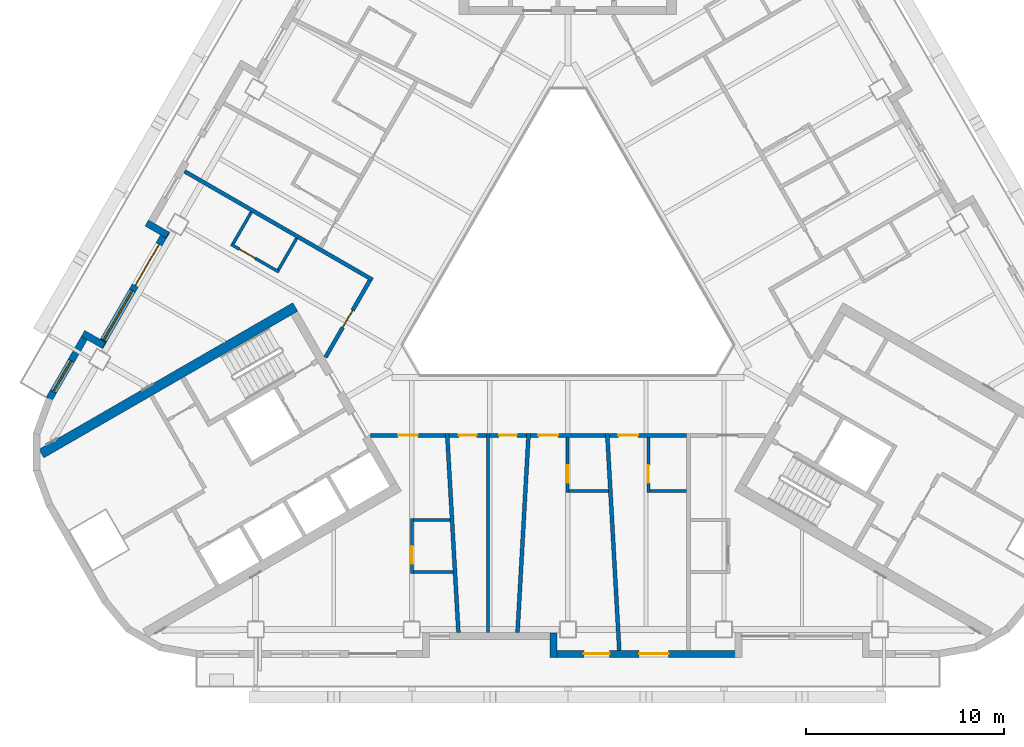
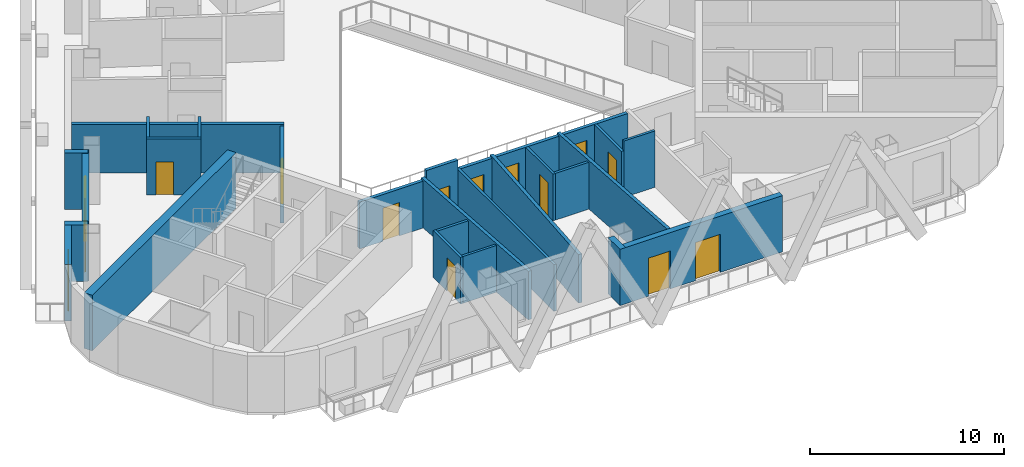
# One storey, part 6 of 17: 28 walls, 13 doors, 2 windows, 15 openings.
"""IFC4 building model written with IfcOpenShell, lengths in metres."""

from ifc_helpers import new_model, si_unit, direction, frame, frame_2d, origin, place, context, subcontext, project, spatial, rectangle, extrude, material, layer, layer_set, type_object, element, fill, save


model = new_model("IFC4")

# Units and contexts
model_context = context("Model", 3, precision=1e-05, world=origin(), true_north=direction((0.0, 1.0)))
body_context = subcontext(model_context, "Body", "Model", "MODEL_VIEW")
ifc_project = project(units=[si_unit("LENGTHUNIT", "METRE"), si_unit("AREAUNIT", "SQUARE_METRE"), si_unit("VOLUMEUNIT", "CUBIC_METRE"), si_unit("PLANEANGLEUNIT", "RADIAN"), si_unit("MASSUNIT", "GRAM", prefix="KILO")], contexts=[model_context])

# Site, building, storey
site_placement = place(None, origin())
site = spatial("IfcSite", under=ifc_project, at=site_placement, CompositionType="ELEMENT")
building_placement = place(site_placement, origin())
building = spatial("IfcBuilding", under=site, at=building_placement, Name="Apuvela Tower Hotel", CompositionType="ELEMENT")
storey_placement = place(building_placement, frame((0.0, 0.0, 146.60009765625)))
storey = spatial("IfcBuildingStorey", under=building, at=storey_placement, Name="L34", CompositionType="ELEMENT", Elevation=146.60009765625)

# Walls
ifc_material_1 = material(Name="Concrete C50/60", Category="concrete")
ifc_layer_1 = layer(ifc_material_1, 0.5)
ifc_layer_set_1 = layer_set([ifc_layer_1], Name="COR-WALL-CORE-500")
wall_type_1 = type_object("IfcWallType", Name="COR-WALL-CORE-500", PredefinedType="SHEAR", material=ifc_layer_set_1)
wall_1_placement = place(storey_placement, frame((-13.796630859375, -1.9033203125, 0.0), z_axis=(0.0, 0.0, 1.0), x_axis=(-0.866025009528, -0.500000682871, 0.0)))
element("IfcWall", 1, at=wall_1_placement, inside=storey, type_object=wall_type_1, Name="Core wall SW", PredefinedType="SHEAR", context=body_context, shape_type="SweptSolid", body=[
    extrude(rectangle(XDim=14.8369140625, YDim=0.5, at=frame_2d((7.41845703125, 0.0))), origin(), (0.0, 0.0, 1.0), 3.5),
])
ifc_material_2 = material(Name="Concrete C40/50, dark pigmented precast panel", Category="concrete")
ifc_layer_2 = layer(ifc_material_2, 0.35009765625)
ifc_layer_set_2 = layer_set([ifc_layer_2], Name="ENV-WALL-350")
wall_type_2 = type_object("IfcWallType", Name="ENV-WALL-350", PredefinedType="SOLIDWALL", material=ifc_layer_set_2)
wall_2_placement = place(storey_placement, frame((-21.3125, 2.345703125, 0.0), z_axis=(0.0, 0.0, 1.0), x_axis=(0.866005645448, -0.500034220881, 0.0)))
element("IfcWall", 2, at=wall_2_placement, inside=storey, type_object=wall_type_2, Name="External wall L34-06", PredefinedType="SOLIDWALL", context=body_context, shape_type="SweptSolid", body=[
    extrude(rectangle(XDim=1.22021484375, YDim=0.35009765625, at=frame_2d((0.610107421875, 0.0))), origin(), (0.0, 0.0, 1.0), 3.5498046875),
])

# Wall, openings, door, window
wall_3_placement = place(storey_placement, frame((-20.30908203125, 1.93359375, 0.0), z_axis=(0.0, 0.0, 1.0), x_axis=(-0.499992114976, -0.866029956157, 0.0)))
wall_3 = element("IfcWall", 3, at=wall_3_placement, inside=storey, type_object=wall_type_2, Name="External wall L34-07", PredefinedType="SOLIDWALL", context=body_context, shape_type="SweptSolid", body=[
    extrude(rectangle(XDim=6.73974609375, YDim=0.35009765625, at=frame_2d((3.369873046875, 0.0))), origin(), (0.0, 0.0, 1.0), 3.5498046875),
])
opening_1_placement = place(wall_3_placement, frame((0.77001953125, 0.0, 0.0)))
opening_1 = element("IfcOpeningElement", 4, at=opening_1_placement, cuts=wall_3, Name="Opening BD24", PredefinedType="OPENING", context=body_context, shape_type="SweptSolid", body=[
    extrude(rectangle(XDim=2.39990234375, YDim=2.39990234375, at=frame_2d((1.199951171875, 1.199951171875))), frame((0.0, 0.18505859375, 0.0), z_axis=(0.0, -1.0, 0.0), x_axis=(1.0, 0.0, 0.0)), (0.0, 0.0, 1.0), 0.3701171875),
])
opening_2_placement = place(wall_3_placement, frame((3.47021484375, 0.0, 0.300048828125)))
opening_2 = element("IfcOpeningElement", 5, at=opening_2_placement, cuts=wall_3, Name="Opening WN29", PredefinedType="OPENING", context=body_context, shape_type="SweptSolid", body=[
    extrude(rectangle(XDim=2.89990234375, YDim=2.64990234375, at=frame_2d((1.449951171875, 1.324951171875))), frame((0.0, 0.18505859375, 0.0), z_axis=(0.0, -1.0, 0.0), x_axis=(1.0, 0.0, 0.0)), (0.0, 0.0, 1.0), 0.3701171875),
])
ifc_material_3 = material(Name="Aluminium 6063-T6, dark bronze anodised frame with dark tinted laminated glass", Category="aluminium")
door_type_1 = type_object("IfcDoorType", Name="ENV-DOOR-BALCONY-2400x2400", OperationType="SLIDING_TO_LEFT", PredefinedType="DOOR", material=ifc_material_3)
door_1_placement = place(opening_1_placement, frame((2.39990234375, 0.0, 0.0), z_axis=(0.0, 0.0, 1.0), x_axis=(-1.0, 0.0, 0.0)))
door_1 = element("IfcDoor", 6, at=door_1_placement, inside=storey, type_object=door_type_1, Name="Balcony door BD24", OperationType="SLIDING_TO_LEFT", OverallHeight=2.39990234375, OverallWidth=2.39990234375, PredefinedType="DOOR", context=body_context, shape_type="SweptSolid", body=[
    extrude(rectangle(XDim=2.39990234375, YDim=2.39990234375, at=frame_2d((1.199951171875, 1.199951171875))), frame((0.0, 0.02490234375, 0.0), z_axis=(0.0, -1.0, 0.0), x_axis=(1.0, 0.0, 0.0)), (0.0, 0.0, 1.0), 0.050048828125),
])
fill(opening_1, door_1)
ifc_material_4 = material(Name="Glass, dark tinted laminated insulated glazing unit", Category="glass")
window_type_1 = type_object("IfcWindowType", Name="ENV-WIN-2900x2650", PartitioningType="SINGLE_PANEL", PredefinedType="WINDOW", material=ifc_material_4)
window_1_placement = place(opening_2_placement, origin())
window_1 = element("IfcWindow", 7, at=window_1_placement, inside=storey, type_object=window_type_1, Name="Window WN29", OverallHeight=2.64990234375, OverallWidth=2.89990234375, PartitioningType="SINGLE_PANEL", PredefinedType="WINDOW", context=body_context, shape_type="SweptSolid", body=[
    extrude(rectangle(XDim=2.89990234375, YDim=2.64990234375, at=frame_2d((1.449951171875, 1.324951171875))), frame((0.0, 0.030029296875, 0.0), z_axis=(0.0, -1.0, 0.0), x_axis=(1.0, 0.0, 0.0)), (0.0, 0.0, 1.0), 0.06005859375),
])
fill(opening_2, window_1)

# Wall
wall_4_placement = place(storey_placement, frame((-23.48095703125, -3.85009765625, 0.0), z_axis=(0.0, 0.0, 1.0), x_axis=(-0.866092288191, 0.499884134912, 0.0)))
element("IfcWall", 8, at=wall_4_placement, inside=storey, type_object=wall_type_2, Name="External wall L34-08", PredefinedType="SOLIDWALL", context=body_context, shape_type="SweptSolid", body=[
    extrude(rectangle(XDim=1.219970703125, YDim=0.35009765625, at=frame_2d((0.60986328125, 0.0))), origin(), (0.0, 0.0, 1.0), 3.5498046875),
])

# Wall, opening, window
wall_5_placement = place(storey_placement, frame((-24.298583984375, -3.17626953125, 0.0), z_axis=(0.0, 0.0, 1.0), x_axis=(-0.500028278809, -0.866009076391, 0.0)))
wall_5 = element("IfcWall", 9, at=wall_5_placement, inside=storey, type_object=wall_type_2, Name="External wall L34-09", PredefinedType="SOLIDWALL", context=body_context, shape_type="SweptSolid", body=[
    extrude(rectangle(XDim=3.915771484375, YDim=0.35009765625, at=frame_2d((1.9580078125, 0.0))), origin(), (0.0, 0.0, 1.0), 3.5498046875),
])
opening_3_placement = place(wall_5_placement, frame((1.675048828125, 0.0, 0.300048828125)))
opening_3 = element("IfcOpeningElement", 10, at=opening_3_placement, cuts=wall_5, Name="Opening WN18", PredefinedType="OPENING", context=body_context, shape_type="SweptSolid", body=[
    extrude(rectangle(XDim=1.800048828125, YDim=2.64990234375, at=frame_2d((0.89990234375, 1.324951171875))), frame((0.0, 0.18505859375, 0.0), z_axis=(0.0, -1.0, 0.0), x_axis=(1.0, 0.0, 0.0)), (0.0, 0.0, 1.0), 0.3701171875),
])
window_type_2 = type_object("IfcWindowType", Name="ENV-WIN-1800x2650", PartitioningType="SINGLE_PANEL", PredefinedType="WINDOW", material=ifc_material_4)
window_2_placement = place(opening_3_placement, origin())
window_2 = element("IfcWindow", 11, at=window_2_placement, inside=storey, type_object=window_type_2, Name="Window WN18", OverallHeight=2.64990234375, OverallWidth=1.800048828125, PartitioningType="SINGLE_PANEL", PredefinedType="WINDOW", context=body_context, shape_type="SweptSolid", body=[
    extrude(rectangle(XDim=1.800048828125, YDim=2.64990234375, at=frame_2d((0.89990234375, 1.324951171875))), frame((0.0, 0.030029296875, 0.0), z_axis=(0.0, -1.0, 0.0), x_axis=(1.0, 0.0, 0.0)), (0.0, 0.0, 1.0), 0.06005859375),
])
fill(opening_3, window_2)

# Wall
wall_6_placement = place(storey_placement, frame((-0.72509765625, -18.409912109375, 0.0), z_axis=(0.0, 0.0, 1.0), x_axis=(0.0, -1.0, 0.0)))
element("IfcWall", 12, at=wall_6_placement, inside=storey, type_object=wall_type_2, Name="External wall L34-20", PredefinedType="SOLIDWALL", context=body_context, shape_type="SweptSolid", body=[
    extrude(rectangle(XDim=1.219970703125, YDim=0.35009765625, at=frame_2d((0.60986328125, 0.0))), origin(), (0.0, 0.0, 1.0), 3.5498046875),
])

# Wall, openings, doors
wall_7_placement = place(storey_placement, frame((-0.89990234375, -19.455078125, 0.0), z_axis=(0.0, 0.0, 1.0), x_axis=(1.0, 0.0, 0.0)))
wall_7 = element("IfcWall", 13, at=wall_7_placement, inside=storey, type_object=wall_type_2, Name="External wall L34-21", PredefinedType="SOLIDWALL", context=body_context, shape_type="SweptSolid", body=[
    extrude(rectangle(XDim=9.699951171875, YDim=0.35009765625, at=frame_2d((4.85009765625, 0.0))), origin(), (0.0, 0.0, 1.0), 3.5498046875),
])
opening_4_placement = place(wall_7_placement, frame((1.71240234375, 0.0, 0.0)))
opening_4 = element("IfcOpeningElement", 14, at=opening_4_placement, cuts=wall_7, Name="Opening BD13", PredefinedType="OPENING", context=body_context, shape_type="SweptSolid", body=[
    extrude(rectangle(XDim=1.300048828125, YDim=2.39990234375, at=frame_2d((0.64990234375, 1.199951171875))), frame((0.0, 0.18505859375, 0.0), z_axis=(0.0, -1.0, 0.0), x_axis=(1.0, 0.0, 0.0)), (0.0, 0.0, 1.0), 0.3701171875),
])
opening_5_placement = place(wall_7_placement, frame((4.5, 0.0, 0.0)))
opening_5 = element("IfcOpeningElement", 15, at=opening_5_placement, cuts=wall_7, Name="Opening BD15", PredefinedType="OPENING", context=body_context, shape_type="SweptSolid", body=[
    extrude(rectangle(XDim=1.5, YDim=2.39990234375, at=frame_2d((0.75, 1.199951171875))), frame((0.0, 0.18505859375, 0.0), z_axis=(0.0, -1.0, 0.0), x_axis=(1.0, 0.0, 0.0)), (0.0, 0.0, 1.0), 0.3701171875),
])
door_type_2 = type_object("IfcDoorType", Name="ENV-DOOR-BALCONY-1300x2400", OperationType="SLIDING_TO_LEFT", PredefinedType="DOOR", material=ifc_material_3)
door_2_placement = place(opening_4_placement, frame((1.300048828125, 0.0, 0.0), z_axis=(0.0, 0.0, 1.0), x_axis=(-1.0, 0.0, 0.0)))
door_2 = element("IfcDoor", 16, at=door_2_placement, inside=storey, type_object=door_type_2, Name="Balcony door BD13", OperationType="SLIDING_TO_LEFT", OverallHeight=2.39990234375, OverallWidth=1.300048828125, PredefinedType="DOOR", context=body_context, shape_type="SweptSolid", body=[
    extrude(rectangle(XDim=1.300048828125, YDim=2.39990234375, at=frame_2d((0.64990234375, 1.199951171875))), frame((0.0, 0.02490234375, 0.0), z_axis=(0.0, -1.0, 0.0), x_axis=(1.0, 0.0, 0.0)), (0.0, 0.0, 1.0), 0.050048828125),
])
fill(opening_4, door_2)
door_type_3 = type_object("IfcDoorType", Name="ENV-DOOR-BALCONY-1500x2400", OperationType="SLIDING_TO_LEFT", PredefinedType="DOOR", material=ifc_material_3)
door_3_placement = place(opening_5_placement, frame((1.5, 0.0, 0.0), z_axis=(0.0, 0.0, 1.0), x_axis=(-1.0, 0.0, 0.0)))
door_3 = element("IfcDoor", 17, at=door_3_placement, inside=storey, type_object=door_type_3, Name="Balcony door BD15", OperationType="SLIDING_TO_LEFT", OverallHeight=2.39990234375, OverallWidth=1.5, PredefinedType="DOOR", context=body_context, shape_type="SweptSolid", body=[
    extrude(rectangle(XDim=1.5, YDim=2.39990234375, at=frame_2d((0.75, 1.199951171875))), frame((0.0, 0.02490234375, 0.0), z_axis=(0.0, -1.0, 0.0), x_axis=(1.0, 0.0, 0.0)), (0.0, 0.0, 1.0), 0.050048828125),
])
fill(opening_5, door_3)

# Walls
ifc_material_5 = material(Name="Gypsum board partition on twin steel stud", Category="steel")
ifc_layer_3 = layer(ifc_material_5, 0.199951171875)
ifc_layer_set_3 = layer_set([ifc_layer_3], Name="GST-PW1")
wall_type_3 = type_object("IfcWallType", Name="GST-PW1", PredefinedType="PARTITIONING", material=ifc_layer_set_3)
wall_8_placement = place(storey_placement, frame((-5.541015625, -18.3798828125, 0.0), z_axis=(0.0, 0.0, 1.0), x_axis=(-0.056489207214, 0.998403209865, 0.0)))
element("IfcWall", 18, at=wall_8_placement, inside=storey, type_object=wall_type_3, Name="L34 partition 01", PredefinedType="PARTITIONING", context=body_context, shape_type="SweptSolid", body=[
    extrude(rectangle(XDim=10.095947265625, YDim=0.199951171875, at=frame_2d((5.0478515625, 0.0))), origin(), (0.0, 0.0, 1.0), 3.059814453125),
])
wall_9_placement = place(storey_placement, frame((-2.5498046875, -18.3798828125, 0.0), z_axis=(0.0, 0.0, 1.0), x_axis=(0.055549043036, 0.998455959879, 0.0)))
element("IfcWall", 19, at=wall_9_placement, inside=storey, type_object=wall_type_3, Name="L34 partition 02", PredefinedType="PARTITIONING", context=body_context, shape_type="SweptSolid", body=[
    extrude(rectangle(XDim=10.095458984375, YDim=0.199951171875, at=frame_2d((5.0478515625, 0.0))), origin(), (0.0, 0.0, 1.0), 3.059814453125),
])
wall_10_placement = place(storey_placement, frame((2.60009765625, -19.280029296875, 0.0), z_axis=(0.0, 0.0, 1.0), x_axis=(-0.055568385591, 0.998454883569, 0.0)))
element("IfcWall", 20, at=wall_10_placement, inside=storey, type_object=wall_type_3, Name="L34 partition 03", PredefinedType="PARTITIONING", context=body_context, shape_type="SweptSolid", body=[
    extrude(rectangle(XDim=10.9970703125, YDim=0.199951171875, at=frame_2d((5.49853515625, 0.0))), origin(), (0.0, 0.0, 1.0), 3.059814453125),
])
wall_11_placement = place(storey_placement, frame((-19.39697265625, 4.96337890625, 0.0), z_axis=(0.0, 0.0, 1.0), x_axis=(0.866027479907, -0.499996404033, 0.0)))
element("IfcWall", 21, at=wall_11_placement, inside=storey, type_object=wall_type_3, Name="L34 partition 10", PredefinedType="PARTITIONING", context=body_context, shape_type="SweptSolid", body=[
    extrude(rectangle(XDim=10.97998046875, YDim=0.199951171875, at=frame_2d((5.489990234375, 0.0))), origin(), (0.0, 0.0, 1.0), 3.059814453125),
])

# Wall, opening, door
ifc_material_6 = material(Name="Gypsum board corridor wall on twin steel stud, acoustic", Category="steel")
ifc_layer_4 = layer(ifc_material_6, 0.199951171875)
ifc_layer_set_4 = layer_set([ifc_layer_4], Name="GST-PW2")
wall_type_4 = type_object("IfcWallType", Name="GST-PW2", PredefinedType="PARTITIONING", material=ifc_layer_set_4)
wall_12_placement = place(storey_placement, frame((-6.205810546875, -8.39990234375, 0.0), z_axis=(0.0, 0.0, 1.0), x_axis=(-1.0, 0.0, 0.0)))
wall_12 = element("IfcWall", 22, at=wall_12_placement, inside=storey, type_object=wall_type_4, Name="L34 partition 11", PredefinedType="PARTITIONING", context=body_context, shape_type="SweptSolid", body=[
    extrude(rectangle(XDim=3.782470703125, YDim=0.199951171875, at=frame_2d((1.89111328125, 0.0))), origin(), (0.0, 0.0, 1.0), 2.949951171875),
])
opening_6_placement = place(wall_12_placement, frame((1.39111328125, 0.0, 0.0)))
opening_6 = element("IfcOpeningElement", 23, at=opening_6_placement, cuts=wall_12, Name="Opening GD12-02", PredefinedType="OPENING", context=body_context, shape_type="SweptSolid", body=[
    extrude(rectangle(XDim=1.0, YDim=2.10009765625, at=frame_2d((0.5, 1.050048828125))), frame((0.0, 0.10986328125, 0.0), z_axis=(0.0, -1.0, 0.0), x_axis=(1.0, 0.0, 0.0)), (0.0, 0.0, 1.0), 0.219970703125),
])
ifc_material_7 = material(Name="Timber door leaf in steel frame", Category="steel")
door_type_4 = type_object("IfcDoorType", Name="GST-D1", OperationType="NOTDEFINED", PredefinedType="DOOR", material=ifc_material_7)
door_4_placement = place(opening_6_placement, origin())
door_4 = element("IfcDoor", 24, at=door_4_placement, inside=storey, type_object=door_type_4, Name="Door L34-02", OperationType="SINGLE_SWING_LEFT", OverallHeight=2.10009765625, OverallWidth=1.0, PredefinedType="DOOR", context=body_context, shape_type="SweptSolid", body=[
    extrude(rectangle(XDim=1.0, YDim=2.10009765625, at=frame_2d((0.5, 1.050048828125))), frame((0.0, 0.02490234375, 0.0), z_axis=(0.0, -1.0, 0.0), x_axis=(1.0, 0.0, 0.0)), (0.0, 0.0, 1.0), 0.050048828125),
])
fill(opening_6, door_4)

wall_13_placement = place(storey_placement, frame((-4.125, -8.39990234375, 0.0), z_axis=(0.0, 0.0, 1.0), x_axis=(-1.0, 0.0, 0.0)))
wall_13 = element("IfcWall", 25, at=wall_13_placement, inside=storey, type_object=wall_type_4, Name="L34 partition 16", PredefinedType="PARTITIONING", context=body_context, shape_type="SweptSolid", body=[
    extrude(rectangle(XDim=1.880615234375, YDim=0.199951171875, at=frame_2d((0.9404296875, 0.0))), origin(), (0.0, 0.0, 1.0), 3.5498046875),
])
opening_7_placement = place(wall_13_placement, frame((0.490234375, 0.0, 0.0)))
opening_7 = element("IfcOpeningElement", 26, at=opening_7_placement, cuts=wall_13, Name="Opening GD12-03", PredefinedType="OPENING", context=body_context, shape_type="SweptSolid", body=[
    extrude(rectangle(XDim=0.89990234375, YDim=2.10009765625, at=frame_2d((0.449951171875, 1.050048828125))), frame((0.0, 0.10986328125, 0.0), z_axis=(0.0, -1.0, 0.0), x_axis=(1.0, 0.0, 0.0)), (0.0, 0.0, 1.0), 0.219970703125),
])
door_type_5 = type_object("IfcDoorType", Name="GST-D2", OperationType="NOTDEFINED", PredefinedType="DOOR", material=ifc_material_7)
door_5_placement = place(opening_7_placement, origin())
door_5 = element("IfcDoor", 27, at=door_5_placement, inside=storey, type_object=door_type_5, Name="Door L34-03", OperationType="SINGLE_SWING_LEFT", OverallHeight=2.10009765625, OverallWidth=0.89990234375, PredefinedType="DOOR", context=body_context, shape_type="SweptSolid", body=[
    extrude(rectangle(XDim=0.89990234375, YDim=2.10009765625, at=frame_2d((0.449951171875, 1.050048828125))), frame((0.0, 0.02490234375, 0.0), z_axis=(0.0, -1.0, 0.0), x_axis=(1.0, 0.0, 0.0)), (0.0, 0.0, 1.0), 0.050048828125),
])
fill(opening_7, door_5)

wall_14_placement = place(storey_placement, frame((-2.094482421875, -8.39990234375, 0.0), z_axis=(0.0, 0.0, 1.0), x_axis=(-1.0, 0.0, 0.0)))
wall_14 = element("IfcWall", 28, at=wall_14_placement, inside=storey, type_object=wall_type_4, Name="L34 partition 17", PredefinedType="PARTITIONING", context=body_context, shape_type="SweptSolid", body=[
    extrude(rectangle(XDim=1.880615234375, YDim=0.199951171875, at=frame_2d((0.9404296875, 0.0))), origin(), (0.0, 0.0, 1.0), 2.949951171875),
])
opening_8_placement = place(wall_14_placement, frame((0.490234375, 0.0, 0.0)))
opening_8 = element("IfcOpeningElement", 29, at=opening_8_placement, cuts=wall_14, Name="Opening GD12-04", PredefinedType="OPENING", context=body_context, shape_type="SweptSolid", body=[
    extrude(rectangle(XDim=0.89990234375, YDim=2.10009765625, at=frame_2d((0.449951171875, 1.050048828125))), frame((0.0, 0.10986328125, 0.0), z_axis=(0.0, -1.0, 0.0), x_axis=(1.0, 0.0, 0.0)), (0.0, 0.0, 1.0), 0.219970703125),
])
door_6_placement = place(opening_8_placement, origin())
door_6 = element("IfcDoor", 30, at=door_6_placement, inside=storey, type_object=door_type_5, Name="Door L34-04", OperationType="SINGLE_SWING_RIGHT", OverallHeight=2.10009765625, OverallWidth=0.89990234375, PredefinedType="DOOR", context=body_context, shape_type="SweptSolid", body=[
    extrude(rectangle(XDim=0.89990234375, YDim=2.10009765625, at=frame_2d((0.449951171875, 1.050048828125))), frame((0.0, 0.02490234375, 0.0), z_axis=(0.0, -1.0, 0.0), x_axis=(1.0, 0.0, 0.0)), (0.0, 0.0, 1.0), 0.050048828125),
])
fill(opening_8, door_6)

wall_15_placement = place(storey_placement, frame((1.894287109375, -8.39990234375, 0.0), z_axis=(0.0, 0.0, 1.0), x_axis=(-1.0, 0.0, 0.0)))
wall_15 = element("IfcWall", 31, at=wall_15_placement, inside=storey, type_object=wall_type_4, Name="L34 partition 18", PredefinedType="PARTITIONING", context=body_context, shape_type="SweptSolid", body=[
    extrude(rectangle(XDim=3.78857421875, YDim=0.199951171875, at=frame_2d((1.894287109375, 0.0))), origin(), (0.0, 0.0, 1.0), 2.949951171875),
])
opening_9_placement = place(wall_15_placement, frame((2.3857421875, 0.0, 0.0)))
opening_9 = element("IfcOpeningElement", 32, at=opening_9_placement, cuts=wall_15, Name="Opening GD12-06", PredefinedType="OPENING", context=body_context, shape_type="SweptSolid", body=[
    extrude(rectangle(XDim=1.0, YDim=2.10009765625, at=frame_2d((0.5, 1.050048828125))), frame((0.0, 0.10986328125, 0.0), z_axis=(0.0, -1.0, 0.0), x_axis=(1.0, 0.0, 0.0)), (0.0, 0.0, 1.0), 0.219970703125),
])
door_7_placement = place(opening_9_placement, origin())
door_7 = element("IfcDoor", 33, at=door_7_placement, inside=storey, type_object=door_type_4, Name="Door L34-06", OperationType="SINGLE_SWING_RIGHT", OverallHeight=2.10009765625, OverallWidth=1.0, PredefinedType="DOOR", context=body_context, shape_type="SweptSolid", body=[
    extrude(rectangle(XDim=1.0, YDim=2.10009765625, at=frame_2d((0.5, 1.050048828125))), frame((0.0, 0.02490234375, 0.0), z_axis=(0.0, -1.0, 0.0), x_axis=(1.0, 0.0, 0.0)), (0.0, 0.0, 1.0), 0.050048828125),
])
fill(opening_9, door_7)

wall_16_placement = place(storey_placement, frame((6.0, -8.39990234375, 0.0), z_axis=(0.0, 0.0, 1.0), x_axis=(-1.0, 0.0, 0.0)))
wall_16 = element("IfcWall", 34, at=wall_16_placement, inside=storey, type_object=wall_type_4, Name="L34 partition 21", PredefinedType="PARTITIONING", context=body_context, shape_type="SweptSolid", body=[
    extrude(rectangle(XDim=3.905517578125, YDim=0.199951171875, at=frame_2d((1.95263671875, 0.0))), origin(), (0.0, 0.0, 1.0), 2.949951171875),
])
opening_10_placement = place(wall_16_placement, frame((2.449951171875, 0.0, 0.0)))
opening_10 = element("IfcOpeningElement", 35, at=opening_10_placement, cuts=wall_16, Name="Opening GD12-08", PredefinedType="OPENING", context=body_context, shape_type="SweptSolid", body=[
    extrude(rectangle(XDim=1.0, YDim=2.10009765625, at=frame_2d((0.5, 1.050048828125))), frame((0.0, 0.10986328125, 0.0), z_axis=(0.0, -1.0, 0.0), x_axis=(1.0, 0.0, 0.0)), (0.0, 0.0, 1.0), 0.219970703125),
])
door_8_placement = place(opening_10_placement, origin())
door_8 = element("IfcDoor", 36, at=door_8_placement, inside=storey, type_object=door_type_4, Name="Door L34-08", OperationType="SINGLE_SWING_RIGHT", OverallHeight=2.10009765625, OverallWidth=1.0, PredefinedType="DOOR", context=body_context, shape_type="SweptSolid", body=[
    extrude(rectangle(XDim=1.0, YDim=2.10009765625, at=frame_2d((0.5, 1.050048828125))), frame((0.0, 0.02490234375, 0.0), z_axis=(0.0, -1.0, 0.0), x_axis=(1.0, 0.0, 0.0)), (0.0, 0.0, 1.0), 0.050048828125),
])
fill(opening_10, door_8)

wall_17_placement = place(storey_placement, frame((-12.268798828125, -4.449951171875, 0.0), z_axis=(0.0, 0.0, 1.0), x_axis=(0.500000259638, 0.866025253883, 0.0)))
wall_17 = element("IfcWall", 37, at=wall_17_placement, inside=storey, type_object=wall_type_4, Name="L34 partition 52", PredefinedType="PARTITIONING", context=body_context, shape_type="SweptSolid", body=[
    extrude(rectangle(XDim=4.48828125, YDim=0.199951171875, at=frame_2d((2.244140625, 0.0))), origin(), (0.0, 0.0, 1.0), 2.949951171875),
])
opening_11_placement = place(wall_17_placement, frame((1.744140625, 0.0, 0.0)))
opening_11 = element("IfcOpeningElement", 38, at=opening_11_placement, cuts=wall_17, Name="Opening GD12-26", PredefinedType="OPENING", context=body_context, shape_type="SweptSolid", body=[
    extrude(rectangle(XDim=1.0, YDim=2.10009765625, at=frame_2d((0.5, 1.050048828125))), frame((0.0, 0.10986328125, 0.0), z_axis=(0.0, -1.0, 0.0), x_axis=(1.0, 0.0, 0.0)), (0.0, 0.0, 1.0), 0.219970703125),
])
door_9_placement = place(opening_11_placement, origin())
door_9 = element("IfcDoor", 39, at=door_9_placement, inside=storey, type_object=door_type_4, Name="Door L34-26", OperationType="SINGLE_SWING_RIGHT", OverallHeight=2.10009765625, OverallWidth=1.0, PredefinedType="DOOR", context=body_context, shape_type="SweptSolid", body=[
    extrude(rectangle(XDim=1.0, YDim=2.10009765625, at=frame_2d((0.5, 1.050048828125))), frame((0.0, 0.02490234375, 0.0), z_axis=(0.0, -1.0, 0.0), x_axis=(1.0, 0.0, 0.0)), (0.0, 0.0, 1.0), 0.050048828125),
])
fill(opening_11, door_9)

ifc_material_8 = material(Name="Moisture-resistant gypsum board wet wall on steel stud", Category="steel")
ifc_layer_5 = layer(ifc_material_8, 0.14990234375)
ifc_layer_set_5 = layer_set([ifc_layer_5], Name="GST-PW3")
wall_type_5 = type_object("IfcWallType", Name="GST-PW3", PredefinedType="PARTITIONING", material=ifc_layer_set_5)
wall_18_placement = place(storey_placement, frame((-7.893310546875, -12.60009765625, 0.0), z_axis=(0.0, 0.0, 1.0), x_axis=(0.0, -1.0, 0.0)))
wall_18 = element("IfcWall", 40, at=wall_18_placement, inside=storey, type_object=wall_type_5, Name="L34 partition 12", PredefinedType="PARTITIONING", context=body_context, shape_type="SweptSolid", body=[
    extrude(rectangle(XDim=2.7998046875, YDim=0.14990234375, at=frame_2d((1.39990234375, 0.0))), origin(), (0.0, 0.0, 1.0), 2.949951171875),
])
opening_12_placement = place(wall_18_placement, frame((1.39990234375, 0.0, 0.0)))
opening_12 = element("IfcOpeningElement", 41, at=opening_12_placement, cuts=wall_18, Name="Opening GD12-01", PredefinedType="OPENING", context=body_context, shape_type="SweptSolid", body=[
    extrude(rectangle(XDim=0.89990234375, YDim=2.10009765625, at=frame_2d((0.449951171875, 1.050048828125))), frame((0.0, 0.0849609375, 0.0), z_axis=(0.0, -1.0, 0.0), x_axis=(1.0, 0.0, 0.0)), (0.0, 0.0, 1.0), 0.169921875),
])
door_10_placement = place(opening_12_placement, origin())
door_10 = element("IfcDoor", 42, at=door_10_placement, inside=storey, type_object=door_type_5, Name="Door L34-01", OperationType="SINGLE_SWING_RIGHT", OverallHeight=2.10009765625, OverallWidth=0.89990234375, PredefinedType="DOOR", context=body_context, shape_type="SweptSolid", body=[
    extrude(rectangle(XDim=0.89990234375, YDim=2.10009765625, at=frame_2d((0.449951171875, 1.050048828125))), frame((0.0, 0.02490234375, 0.0), z_axis=(0.0, -1.0, 0.0), x_axis=(1.0, 0.0, 0.0)), (0.0, 0.0, 1.0), 0.050048828125),
])
fill(opening_12, door_10)

# Walls
wall_19_placement = place(storey_placement, frame((-7.818115234375, -15.324951171875, 0.0), z_axis=(0.0, 0.0, 1.0), x_axis=(1.0, 0.0, 0.0)))
element("IfcWall", 43, at=wall_19_placement, inside=storey, type_object=wall_type_5, Name="L34 partition 13", PredefinedType="PARTITIONING", context=body_context, shape_type="SweptSolid", body=[
    extrude(rectangle(XDim=2.004150390625, YDim=0.14990234375, at=frame_2d((1.001953125, 0.0))), origin(), (0.0, 0.0, 1.0), 2.949951171875),
])
wall_20_placement = place(storey_placement, frame((-7.818115234375, -12.675048828125, 0.0), z_axis=(0.0, 0.0, 1.0), x_axis=(1.0, 0.0, 0.0)))
element("IfcWall", 44, at=wall_20_placement, inside=storey, type_object=wall_type_5, Name="L34 partition 14", PredefinedType="PARTITIONING", context=body_context, shape_type="SweptSolid", body=[
    extrude(rectangle(XDim=1.854248046875, YDim=0.14990234375, at=frame_2d((0.92724609375, 0.0))), origin(), (0.0, 0.0, 1.0), 2.949951171875),
])
wall_21_placement = place(storey_placement, frame((-4.04541015625, -18.3798828125, 0.0), z_axis=(0.0, 0.0, 1.0), x_axis=(-0.000460193232, 0.999999894111, 0.0)))
element("IfcWall", 45, at=wall_21_placement, inside=storey, type_object=wall_type_5, Name="L34 partition 15", PredefinedType="PARTITIONING", context=body_context, shape_type="SweptSolid", body=[
    extrude(rectangle(XDim=10.079833984375, YDim=0.14990234375, at=frame_2d((5.0400390625, 0.0))), origin(), (0.0, 0.0, 1.0), 2.949951171875),
])

# Wall, opening, door
wall_22_placement = place(storey_placement, frame((-0.013671875, -8.5, 0.0), z_axis=(0.0, 0.0, 1.0), x_axis=(0.0, -1.0, 0.0)))
wall_22 = element("IfcWall", 46, at=wall_22_placement, inside=storey, type_object=wall_type_5, Name="L34 partition 19", PredefinedType="PARTITIONING", context=body_context, shape_type="SweptSolid", body=[
    extrude(rectangle(XDim=2.800048828125, YDim=0.14990234375, at=frame_2d((1.39990234375, 0.0))), origin(), (0.0, 0.0, 1.0), 2.949951171875),
])
opening_13_placement = place(wall_22_placement, frame((1.39990234375, 0.0, 0.0)))
opening_13 = element("IfcOpeningElement", 47, at=opening_13_placement, cuts=wall_22, Name="Opening GD12-05", PredefinedType="OPENING", context=body_context, shape_type="SweptSolid", body=[
    extrude(rectangle(XDim=0.89990234375, YDim=2.10009765625, at=frame_2d((0.449951171875, 1.050048828125))), frame((0.0, 0.0849609375, 0.0), z_axis=(0.0, -1.0, 0.0), x_axis=(1.0, 0.0, 0.0)), (0.0, 0.0, 1.0), 0.169921875),
])
door_11_placement = place(opening_13_placement, origin())
door_11 = element("IfcDoor", 48, at=door_11_placement, inside=storey, type_object=door_type_5, Name="Door L34-05", OperationType="SINGLE_SWING_RIGHT", OverallHeight=2.10009765625, OverallWidth=0.89990234375, PredefinedType="DOOR", context=body_context, shape_type="SweptSolid", body=[
    extrude(rectangle(XDim=0.89990234375, YDim=2.10009765625, at=frame_2d((0.449951171875, 1.050048828125))), frame((0.0, 0.02490234375, 0.0), z_axis=(0.0, -1.0, 0.0), x_axis=(1.0, 0.0, 0.0)), (0.0, 0.0, 1.0), 0.050048828125),
])
fill(opening_13, door_11)

# Wall
wall_23_placement = place(storey_placement, frame((0.061279296875, -11.22509765625, 0.0), z_axis=(0.0, 0.0, 1.0), x_axis=(1.0, 0.0, 0.0)))
element("IfcWall", 49, at=wall_23_placement, inside=storey, type_object=wall_type_5, Name="L34 partition 20", PredefinedType="PARTITIONING", context=body_context, shape_type="SweptSolid", body=[
    extrude(rectangle(XDim=1.990234375, YDim=0.14990234375, at=frame_2d((0.9951171875, 0.0))), origin(), (0.0, 0.0, 1.0), 2.949951171875),
])

# Wall, opening, door
wall_24_placement = place(storey_placement, frame((4.074951171875, -8.5, 0.0), z_axis=(0.0, 0.0, 1.0), x_axis=(0.0, -1.0, 0.0)))
wall_24 = element("IfcWall", 50, at=wall_24_placement, inside=storey, type_object=wall_type_5, Name="L34 partition 22", PredefinedType="PARTITIONING", context=body_context, shape_type="SweptSolid", body=[
    extrude(rectangle(XDim=2.800048828125, YDim=0.14990234375, at=frame_2d((1.39990234375, 0.0))), origin(), (0.0, 0.0, 1.0), 2.949951171875),
])
opening_14_placement = place(wall_24_placement, frame((1.39990234375, 0.0, 0.0)))
opening_14 = element("IfcOpeningElement", 51, at=opening_14_placement, cuts=wall_24, Name="Opening GD12-07", PredefinedType="OPENING", context=body_context, shape_type="SweptSolid", body=[
    extrude(rectangle(XDim=0.89990234375, YDim=2.10009765625, at=frame_2d((0.449951171875, 1.050048828125))), frame((0.0, 0.0849609375, 0.0), z_axis=(0.0, -1.0, 0.0), x_axis=(1.0, 0.0, 0.0)), (0.0, 0.0, 1.0), 0.169921875),
])
door_12_placement = place(opening_14_placement, origin())
door_12 = element("IfcDoor", 52, at=door_12_placement, inside=storey, type_object=door_type_5, Name="Door L34-07", OperationType="SINGLE_SWING_RIGHT", OverallHeight=2.10009765625, OverallWidth=0.89990234375, PredefinedType="DOOR", context=body_context, shape_type="SweptSolid", body=[
    extrude(rectangle(XDim=0.89990234375, YDim=2.10009765625, at=frame_2d((0.449951171875, 1.050048828125))), frame((0.0, 0.02490234375, 0.0), z_axis=(0.0, -1.0, 0.0), x_axis=(1.0, 0.0, 0.0)), (0.0, 0.0, 1.0), 0.050048828125),
])
fill(opening_14, door_12)

# Wall
wall_25_placement = place(storey_placement, frame((4.14990234375, -11.22509765625, 0.0), z_axis=(0.0, 0.0, 1.0), x_axis=(1.0, 0.0, 0.0)))
element("IfcWall", 53, at=wall_25_placement, inside=storey, type_object=wall_type_5, Name="L34 partition 23", PredefinedType="PARTITIONING", context=body_context, shape_type="SweptSolid", body=[
    extrude(rectangle(XDim=1.85009765625, YDim=0.14990234375, at=frame_2d((0.925048828125, 0.0))), origin(), (0.0, 0.0, 1.0), 3.5498046875),
])

# Wall, opening, door
wall_26_placement = place(storey_placement, frame((-17.04931640625, 1.269775390625, 0.0), z_axis=(0.0, 0.0, 1.0), x_axis=(0.866034573852, -0.49998411664, 0.0)))
wall_26 = element("IfcWall", 54, at=wall_26_placement, inside=storey, type_object=wall_type_5, Name="L34 partition 53", PredefinedType="PARTITIONING", context=body_context, shape_type="SweptSolid", body=[
    extrude(rectangle(XDim=2.7998046875, YDim=0.14990234375, at=frame_2d((1.39990234375, 0.0))), origin(), (0.0, 0.0, 1.0), 3.5498046875),
])
opening_15_placement = place(wall_26_placement, frame((0.5, 0.0, 0.0)))
opening_15 = element("IfcOpeningElement", 55, at=opening_15_placement, cuts=wall_26, Name="Opening GD12-25", PredefinedType="OPENING", context=body_context, shape_type="SweptSolid", body=[
    extrude(rectangle(XDim=0.89990234375, YDim=2.10009765625, at=frame_2d((0.449951171875, 1.050048828125))), frame((0.0, 0.0849609375, 0.0), z_axis=(0.0, -1.0, 0.0), x_axis=(1.0, 0.0, 0.0)), (0.0, 0.0, 1.0), 0.169921875),
])
door_13_placement = place(opening_15_placement, origin())
door_13 = element("IfcDoor", 56, at=door_13_placement, inside=storey, type_object=door_type_5, Name="Door L34-25", OperationType="SINGLE_SWING_LEFT", OverallHeight=2.10009765625, OverallWidth=0.89990234375, PredefinedType="DOOR", context=body_context, shape_type="SweptSolid", body=[
    extrude(rectangle(XDim=0.89990234375, YDim=2.10009765625, at=frame_2d((0.449951171875, 1.050048828125))), frame((0.0, 0.02490234375, 0.0), z_axis=(0.0, -1.0, 0.0), x_axis=(1.0, 0.0, 0.0)), (0.0, 0.0, 1.0), 0.050048828125),
])
fill(opening_15, door_13)

# Walls
for number, where, z_axis, x_axis, name in (
    (57, (-16.021728515625, 2.8994140625, 0.0), (0.0, 0.0, 1.0), (-0.499985172903, -0.866033964044, 0.0), "L34 partition 54"),
    (58, (-13.726806640625, 1.574462890625, 0.0), (0.0, 0.0, 1.0), (-0.499985172903, -0.866033964044, 0.0), "L34 partition 55"),
):
    element("IfcWall", number, at=place(storey_placement, frame(where, z_axis=z_axis, x_axis=x_axis)), inside=storey, type_object=wall_type_5, Name=name, PredefinedType="PARTITIONING", context=body_context, shape_type="SweptSolid", body=[
        extrude(rectangle(XDim=1.85009765625, YDim=0.14990234375, at=frame_2d((0.925048828125, 0.0))), origin(), (0.0, 0.0, 1.0), 3.5498046875),
    ])

save(model, "model.ifc")
